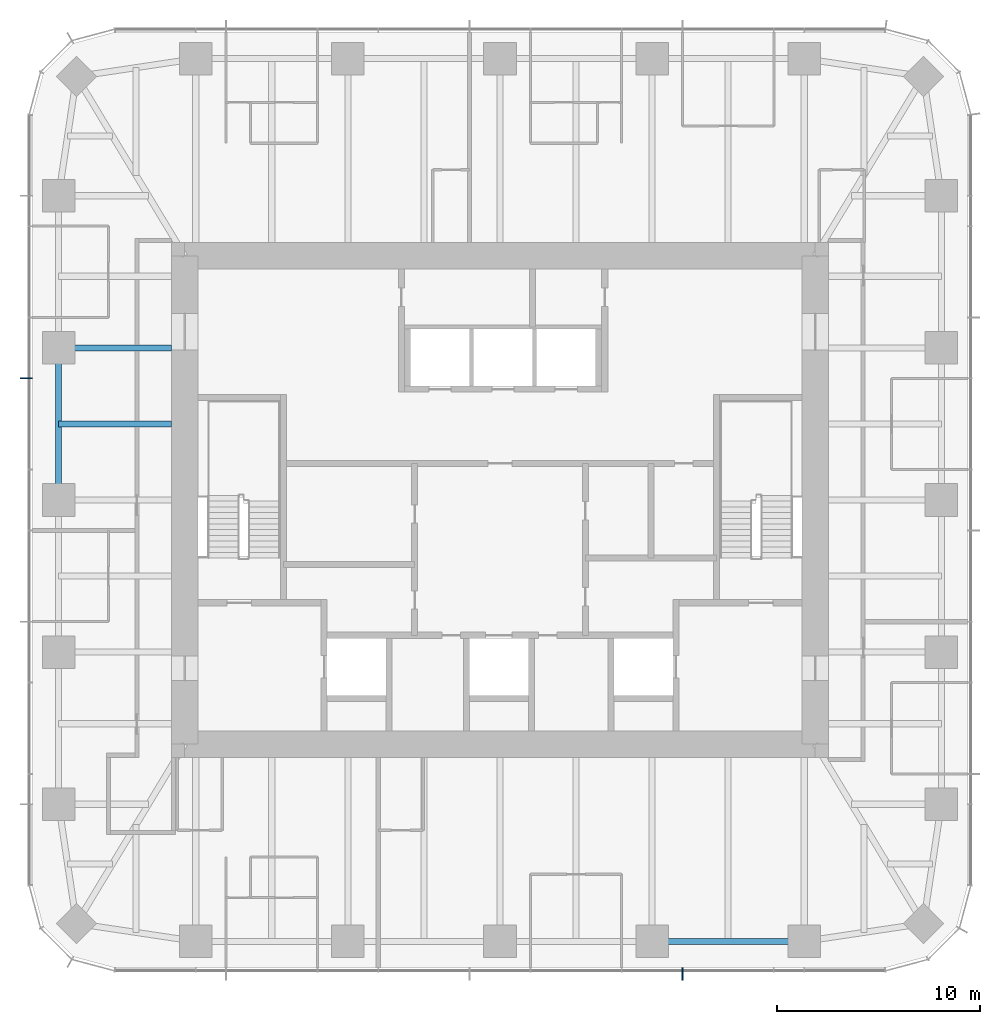
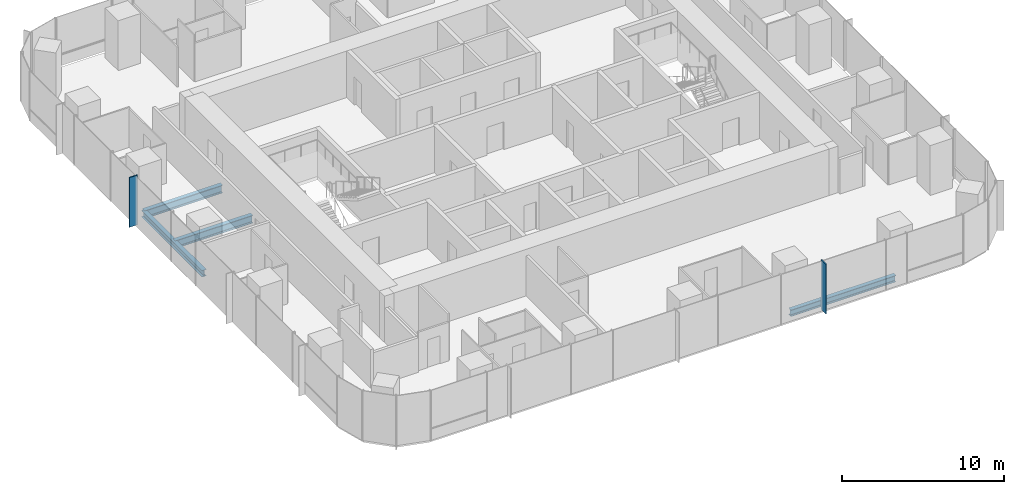
# One storey, part 3 of 12: 4 beams, 2 members, 2 elements without a shape of their own.
"""IFC4 building model written with IfcOpenShell, lengths in metres."""

from ifc_helpers import new_model, si_unit, direction, frame, origin, origin_2d, place, context, subcontext, project, spatial, rectangle, i_section, extrude, material, material_profile, profile_set, type_object, element, aggregate, save


model = new_model("IFC4")

# Units and contexts
model_context = context("Model", 3, precision=1e-05, world=origin(), true_north=direction((0.0, 1.0)))
body_context = subcontext(model_context, "Body", "Model", "MODEL_VIEW")
ifc_project = project(units=[si_unit("LENGTHUNIT", "METRE"), si_unit("AREAUNIT", "SQUARE_METRE"), si_unit("VOLUMEUNIT", "CUBIC_METRE"), si_unit("PLANEANGLEUNIT", "RADIAN"), si_unit("MASSUNIT", "GRAM", prefix="KILO")], contexts=[model_context])

# Site, building, storey
site_placement = place(None, origin())
site = spatial("IfcSite", under=ifc_project, at=site_placement, CompositionType="ELEMENT")
building_placement = place(site_placement, origin())
building = spatial("IfcBuilding", under=site, at=building_placement, Name="Khuree Lantern Residences", CompositionType="ELEMENT")
storey_placement = place(building_placement, frame((0.0, 0.0, 338.25)))
storey = spatial("IfcBuildingStorey", under=building, at=storey_placement, Name="L85", CompositionType="ELEMENT", Elevation=338.25)

# Beams
ifc_material_1 = material(Name="Steel S355", Category="steel")
ifc_material_profile_1 = material_profile(ifc_material_1, i_section(OverallWidth=0.300048828125, OverallDepth=0.590087890625, WebThickness=0.012939453125, FlangeThickness=0.02490234375, FilletRadius=0.027099609375, at=origin_2d()), Name="HE 600 A")
ifc_profile_set_1 = profile_set([ifc_material_profile_1], Name="Steel S355")
beam_type_1 = type_object("IfcBeamType", Name="B-44 SECONDARY BEAM HE 600 A", PredefinedType="BEAM", material=ifc_profile_set_1)
beam_1_placement = place(storey_placement, frame((-21.699951171875, 3.739990234375, -0.544921875), z_axis=(1.0, 0.0, 0.0), x_axis=(0.0, 1.0, 0.0)))
element("IfcBeam", 1, at=beam_1_placement, inside=storey, type_object=beam_type_1, Name="Secondary beam W4", PredefinedType="BEAM", context=body_context, shape_type="SweptSolid", body=[
    extrude(i_section(OverallWidth=0.300048828125, OverallDepth=0.590087890625, WebThickness=0.012939453125, FlangeThickness=0.02490234375, FilletRadius=0.027099609375, at=origin_2d()), origin(), (0.0, 0.0, 1.0), 5.550048828125),
])
ifc_material_profile_2 = material_profile(ifc_material_1, i_section(OverallWidth=0.300048828125, OverallDepth=0.489990234375, WebThickness=0.011962890625, FlangeThickness=0.02294921875, FilletRadius=0.027099609375, at=origin_2d()), Name="HE 500 A")
ifc_profile_set_2 = profile_set([ifc_material_profile_2], Name="Steel S355")
beam_type_2 = type_object("IfcBeamType", Name="E-44 SPANDREL BEAM HE 500 A", PredefinedType="SPANDREL", material=ifc_profile_set_2)
for number, where, z_axis, x_axis, name in (
    (2, (14.9599609375, -21.699951171875, -0.4951171875), (-1.0, 0.0, 0.0), (0.0, -1.0, 0.0), "Spandrel beam S2"),
    (3, (-21.699951171875, 0.0, -0.4951171875), (0.0, 1.0, 0.0), (-1.0, 0.0, 0.0), "Spandrel beam W4"),
):
    element("IfcBeam", number, at=place(storey_placement, frame(where, z_axis=z_axis, x_axis=x_axis)), inside=storey, type_object=beam_type_2, Name=name, PredefinedType="SPANDREL", context=body_context, shape_type="SweptSolid", body=[
        extrude(i_section(OverallWidth=0.300048828125, OverallDepth=0.489990234375, WebThickness=0.011962890625, FlangeThickness=0.02294921875, FilletRadius=0.027099609375, at=origin_2d()), origin(), (0.0, 0.0, 1.0), 7.47998046875),
    ])

# Curtain wall, member
ifc_material_2 = material(Name="Bronze anodised aluminium", Category="aluminium")
curtain_wall_type = type_object("IfcCurtainWallType", Name="CW-T1 TOWER FACE CURTAIN WALL", PredefinedType="USERDEFINED", material=ifc_material_2)
curtain_wall_1_placement = place(storey_placement, origin())
curtain_wall_1 = element("IfcCurtainWall", 4, at=curtain_wall_1_placement, inside=storey, type_object=curtain_wall_type, Name="L85 WEST FACE CURTAIN WALL", ObjectType="Stick-built curtain wall", PredefinedType="USERDEFINED")
ifc_material_profile_3 = material_profile(ifc_material_2, rectangle(XDim=0.06494140625, YDim=0.60009765625, at=origin_2d()), Name="F1 65X600")
ifc_profile_set_3 = profile_set([ifc_material_profile_3], Name="Bronze anodised aluminium")
member_type = type_object("IfcMemberType", Name="F1 BRONZE FIN MULLION TOWER 65X600", PredefinedType="MULLION", material=ifc_profile_set_3)
member_1_placement = place(storey_placement, frame((-23.300048828125, 5.98388671875, 0.0), z_axis=(0.0, 0.0, 1.0), x_axis=(0.0, -1.0, 0.0)))
member_1 = element("IfcMember", 5, at=member_1_placement, type_object=member_type, Name="L85 WEST FACE FIN MULLION 36", PredefinedType="MULLION", context=body_context, shape_type="SweptSolid", body=[
    extrude(rectangle(XDim=0.06494140625, YDim=0.60009765625, at=origin_2d()), origin(), (0.0, 0.0, 1.0), 3.75),
])
aggregate(curtain_wall_1, [member_1])

curtain_wall_2_placement = place(storey_placement, origin())
curtain_wall_2 = element("IfcCurtainWall", 6, at=curtain_wall_2_placement, inside=storey, type_object=curtain_wall_type, Name="L85 SOUTH FACE CURTAIN WALL", ObjectType="Stick-built curtain wall", PredefinedType="USERDEFINED")
member_2_placement = place(storey_placement, frame((8.97607421875, -23.300048828125, 0.0), z_axis=(0.0, 0.0, 1.0), x_axis=(1.0, 0.0, 0.0)))
member_2 = element("IfcMember", 7, at=member_2_placement, type_object=member_type, Name="L85 SOUTH FACE FIN MULLION 54", PredefinedType="MULLION", context=body_context, shape_type="SweptSolid", body=[
    extrude(rectangle(XDim=0.06494140625, YDim=0.60009765625, at=origin_2d()), origin(), (0.0, 0.0, 1.0), 3.75),
])
aggregate(curtain_wall_2, [member_2])

# Beam
ifc_material_profile_4 = material_profile(ifc_material_1, i_section(OverallWidth=0.300048828125, OverallDepth=0.60009765625, WebThickness=0.015380859375, FlangeThickness=0.030029296875, FilletRadius=0.027099609375, at=origin_2d()), Name="HE 600 B")
ifc_profile_set_4 = profile_set([ifc_material_profile_4], Name="Steel S355")
beam_type_3 = type_object("IfcBeamType", Name="G-44 GIRDER HE 600 B", PredefinedType="BEAM", material=ifc_profile_set_4)
beam_2_placement = place(storey_placement, frame((-21.699951171875, 7.47998046875, -0.550048828125), z_axis=(1.0, 0.0, 0.0), x_axis=(0.0, 1.0, 0.0)))
element("IfcBeam", 8, at=beam_2_placement, inside=storey, type_object=beam_type_3, Name="Girder W4", PredefinedType="BEAM", context=body_context, shape_type="SweptSolid", body=[
    extrude(i_section(OverallWidth=0.300048828125, OverallDepth=0.60009765625, WebThickness=0.015380859375, FlangeThickness=0.030029296875, FilletRadius=0.027099609375, at=origin_2d()), origin(), (0.0, 0.0, 1.0), 5.550048828125),
])

save(model, "model.ifc")
